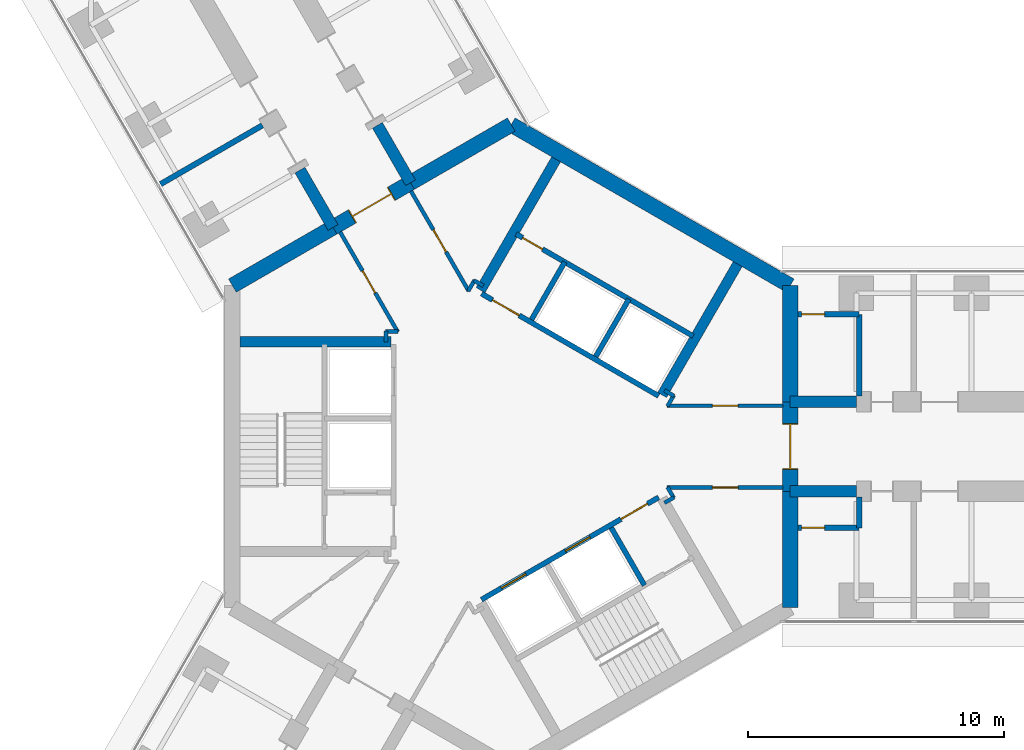
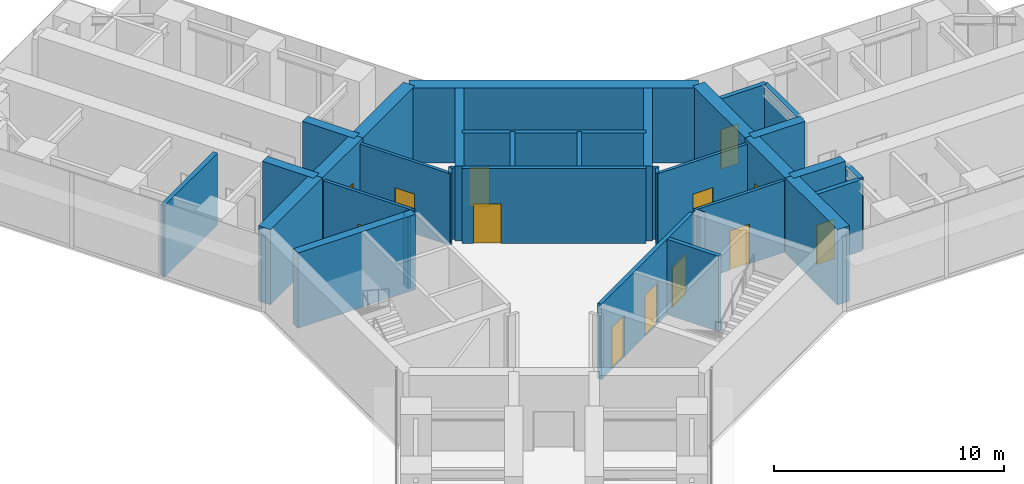
# One storey, part 16 of 21: 37 walls, 13 doors, 13 openings.
"""IFC4 building model written with IfcOpenShell, lengths in metres."""

from ifc_helpers import new_model, si_unit, direction, frame, frame_2d, origin, place, context, subcontext, project, spatial, rectangle, extrude, material, layer, layer_set, type_object, element, fill, save


model = new_model("IFC4")

# Units and contexts
model_context = context("Model", 3, precision=1e-05, world=origin(), true_north=direction((0.0, 1.0)))
body_context = subcontext(model_context, "Body", "Model", "MODEL_VIEW")
ifc_project = project(units=[si_unit("LENGTHUNIT", "METRE"), si_unit("AREAUNIT", "SQUARE_METRE"), si_unit("VOLUMEUNIT", "CUBIC_METRE"), si_unit("PLANEANGLEUNIT", "RADIAN"), si_unit("MASSUNIT", "GRAM", prefix="KILO")], contexts=[model_context])

# Site, building, storey
site_placement = place(None, origin())
site = spatial("IfcSite", under=ifc_project, at=site_placement, CompositionType="ELEMENT")
building_placement = place(site_placement, origin())
building = spatial("IfcBuilding", under=site, at=building_placement, Name="Upepo Twin Towers", CompositionType="ELEMENT")
storey_placement = place(building_placement, frame((0.0, 0.0, 105.5)))
storey = spatial("IfcBuildingStorey", under=building, at=storey_placement, Name="L25", CompositionType="ELEMENT", Elevation=105.5)

# Wall, opening, door
ifc_material_1 = material(Name="Concrete blockwork, plastered both faces", Category="masonry")
ifc_layer_1 = layer(ifc_material_1, 0.215087890625)
ifc_layer_set_1 = layer_set([ifc_layer_1], Name="Blockwork partition 215")
wall_type_1 = type_object("IfcWallType", Name="Blockwork partition 215", PredefinedType="PARTITIONING", material=ifc_layer_set_1)
wall_1_placement = place(storey_placement, frame((11.2080078125, 5.175048828125, 0.0), z_axis=(0.0, 0.0, 1.0), x_axis=(1.0, 0.0, 0.0)))
wall_1 = element("IfcWall", 1, at=wall_1_placement, inside=storey, type_object=wall_type_1, Name="T1 WC bay partition AL at 11.21", PredefinedType="PARTITIONING", context=body_context, shape_type="SweptSolid", body=[
    extrude(rectangle(XDim=2.39990234375, YDim=0.215087890625, at=frame_2d((1.199951171875, 0.0))), origin(), (0.0, 0.0, 1.0), 3.800048828125),
])
opening_1_placement = place(wall_1_placement, frame((0.14990234375, 0.0, 0.0)))
opening_1 = element("IfcOpeningElement", 2, at=opening_1_placement, cuts=wall_1, Name="Opening D14", PredefinedType="OPENING", context=body_context, shape_type="SweptSolid", body=[
    extrude(rectangle(XDim=0.89990234375, YDim=2.10009765625, at=frame_2d((0.449951171875, 1.050048828125))), frame((0.0, 0.117431640625, 0.0), z_axis=(0.0, -1.0, 0.0), x_axis=(1.0, 0.0, 0.0)), (0.0, 0.0, 1.0), 0.235107421875),
])
ifc_material_2 = material(Name="Timber doorset", Category="wood")
door_type_1 = type_object("IfcDoorType", Name="Office door 900 FD30", OperationType="SINGLE_SWING_LEFT", PredefinedType="DOOR", material=ifc_material_2)
door_1_placement = place(opening_1_placement, origin())
door_1 = element("IfcDoor", 3, at=door_1_placement, inside=storey, type_object=door_type_1, Name="T1 L25 WC bay inner room door", OperationType="SINGLE_SWING_LEFT", OverallHeight=2.10009765625, OverallWidth=0.89990234375, PredefinedType="DOOR", context=body_context, shape_type="SweptSolid", body=[
    extrude(rectangle(XDim=0.89990234375, YDim=2.10009765625, at=frame_2d((0.449951171875, 1.050048828125))), frame((0.0, 0.02490234375, 0.0), z_axis=(0.0, -1.0, 0.0), x_axis=(1.0, 0.0, 0.0)), (0.0, 0.0, 1.0), 0.050048828125),
])
fill(opening_1, door_1)

# Wall
wall_2_placement = place(storey_placement, frame((13.60791015625, 1.97509765625, 0.0), z_axis=(0.0, 0.0, 1.0), x_axis=(0.0, 1.0, 0.0)))
element("IfcWall", 4, at=wall_2_placement, inside=storey, type_object=wall_type_1, Name="T1 WC bay partition AL end at 13.61", PredefinedType="PARTITIONING", context=body_context, shape_type="SweptSolid", body=[
    extrude(rectangle(XDim=3.199951171875, YDim=0.215087890625, at=frame_2d((1.60009765625, 0.0))), origin(), (0.0, 0.0, 1.0), 3.800048828125),
])

# Wall, opening, door
wall_3_placement = place(storey_placement, frame((11.2080078125, -3.175048828125, 0.0), z_axis=(0.0, 0.0, 1.0), x_axis=(1.0, 0.0, 0.0)))
wall_3 = element("IfcWall", 5, at=wall_3_placement, inside=storey, type_object=wall_type_1, Name="T1 WC bay partition AR at 11.21", PredefinedType="PARTITIONING", context=body_context, shape_type="SweptSolid", body=[
    extrude(rectangle(XDim=2.39990234375, YDim=0.215087890625, at=frame_2d((1.199951171875, 0.0))), origin(), (0.0, 0.0, 1.0), 3.800048828125),
])
opening_2_placement = place(wall_3_placement, frame((0.14990234375, 0.0, 0.0)))
opening_2 = element("IfcOpeningElement", 6, at=opening_2_placement, cuts=wall_3, Name="Opening D14", PredefinedType="OPENING", context=body_context, shape_type="SweptSolid", body=[
    extrude(rectangle(XDim=0.89990234375, YDim=2.10009765625, at=frame_2d((0.449951171875, 1.050048828125))), frame((0.0, 0.117431640625, 0.0), z_axis=(0.0, -1.0, 0.0), x_axis=(1.0, 0.0, 0.0)), (0.0, 0.0, 1.0), 0.235107421875),
])
door_2_placement = place(opening_2_placement, origin())
door_2 = element("IfcDoor", 7, at=door_2_placement, inside=storey, type_object=door_type_1, Name="T1 L25 WC bay inner room door", OperationType="SINGLE_SWING_LEFT", OverallHeight=2.10009765625, OverallWidth=0.89990234375, PredefinedType="DOOR", context=body_context, shape_type="SweptSolid", body=[
    extrude(rectangle(XDim=0.89990234375, YDim=2.10009765625, at=frame_2d((0.449951171875, 1.050048828125))), frame((0.0, 0.02490234375, 0.0), z_axis=(0.0, -1.0, 0.0), x_axis=(1.0, 0.0, 0.0)), (0.0, 0.0, 1.0), 0.050048828125),
])
fill(opening_2, door_2)

# Walls
wall_4_placement = place(storey_placement, frame((13.60791015625, -1.97509765625, 0.0), z_axis=(0.0, 0.0, 1.0), x_axis=(0.0, -1.0, 0.0)))
element("IfcWall", 8, at=wall_4_placement, inside=storey, type_object=wall_type_1, Name="T1 WC bay partition AR end at 13.61", PredefinedType="PARTITIONING", context=body_context, shape_type="SweptSolid", body=[
    extrude(rectangle(XDim=1.199951171875, YDim=0.215087890625, at=frame_2d((0.60009765625, 0.0))), origin(), (0.0, 0.0, 1.0), 3.800048828125),
])
wall_5_placement = place(storey_placement, frame((-9.737060546875, 12.56494140625, 0.0), z_axis=(0.0, 0.0, 1.0), x_axis=(-0.866016770315, -0.500014953309, 0.0)))
element("IfcWall", 9, at=wall_5_placement, inside=storey, type_object=wall_type_1, Name="T1 partition BL at 15.75", PredefinedType="PARTITIONING", context=body_context, shape_type="SweptSolid", body=[
    extrude(rectangle(XDim=4.599853515625, YDim=0.215087890625, at=frame_2d((2.2998046875, 0.0))), origin(), (0.0, 0.0, 1.0), 3.800048828125),
])
ifc_material_3 = material(Name="Concrete C60/75", Category="concrete")
ifc_layer_2 = layer(ifc_material_3, 0.449951171875)
ifc_layer_set_2 = layer_set([ifc_layer_2], Name="Concrete C60/75")
wall_type_2 = type_object("IfcWallType", Name="Buttress wall 450 RC", PredefinedType="SHEAR", material=ifc_layer_set_2)
for number, where, z_axis, x_axis, name in (
    (10, (10.908447265625, 1.75, 0.0), (0.0, 0.0, 1.0), (1.0, 0.0, 0.0), "T1 wing A buttress wall L"),
    (11, (10.908447265625, -1.75, 0.0), (0.0, 0.0, 1.0), (1.0, 0.0, 0.0), "T1 wing A buttress wall R"),
):
    element("IfcWall", number, at=place(storey_placement, frame(where, z_axis=z_axis, x_axis=x_axis)), inside=storey, type_object=wall_type_2, Name=name, PredefinedType="SHEAR", context=body_context, shape_type="SweptSolid", body=[
        extrude(rectangle(XDim=2.591552734375, YDim=0.449951171875, at=frame_2d((1.2958984375, 0.0))), origin(), (0.0, 0.0, 1.0), 4.0),
    ])
for number, where, z_axis, x_axis, name in (
    (12, (-6.9697265625, 8.57177734375, 0.0), (0.0, 0.0, 1.0), (-0.499988811324, 0.866031863473, 0.0), "T1 wing B buttress wall L"),
    (13, (-3.938720703125, 10.32177734375, 0.0), (0.0, 0.0, 1.0), (-0.499918158782, 0.866072649678, 0.0), "T1 wing B buttress wall R"),
):
    element("IfcWall", number, at=place(storey_placement, frame(where, z_axis=z_axis, x_axis=x_axis)), inside=storey, type_object=wall_type_2, Name=name, PredefinedType="SHEAR", context=body_context, shape_type="SweptSolid", body=[
        extrude(rectangle(XDim=2.591796875, YDim=0.449951171875, at=frame_2d((1.2958984375, 0.0))), origin(), (0.0, 0.0, 1.0), 4.0),
    ])
ifc_material_4 = material(Name="Concrete C60/75", Category="concrete")
ifc_layer_3 = layer(ifc_material_4, 0.60009765625)
ifc_layer_set_3 = layer_set([ifc_layer_3], Name="Concrete C60/75")
wall_type_3 = type_object("IfcWallType", Name="Core wall 600 RC", PredefinedType="SHEAR", material=ifc_layer_set_3)
wall_6_placement = place(storey_placement, frame((10.908447265625, -6.2978515625, 0.0), z_axis=(0.0, 0.0, 1.0), x_axis=(0.0, 1.0, 0.0)))
element("IfcWall", 14, at=wall_6_placement, inside=storey, type_object=wall_type_3, Name="T1 core wall 000 R", PredefinedType="SHEAR", context=body_context, shape_type="SweptSolid", body=[
    extrude(rectangle(XDim=4.5478515625, YDim=0.60009765625, at=frame_2d((2.27392578125, 0.0))), origin(), (0.0, 0.0, 1.0), 4.0),
])

# Wall, opening, door
wall_7_placement = place(storey_placement, frame((10.908447265625, -1.75, 0.0), z_axis=(0.0, 0.0, 1.0), x_axis=(0.0, 1.0, 0.0)))
wall_7 = element("IfcWall", 15, at=wall_7_placement, inside=storey, type_object=wall_type_3, Name="T1 core wall 000", PredefinedType="SHEAR", context=body_context, shape_type="SweptSolid", body=[
    extrude(rectangle(XDim=3.5, YDim=0.60009765625, at=frame_2d((1.75, 0.0))), origin(), (0.0, 0.0, 1.0), 4.0),
])
opening_3_placement = place(wall_7_placement, frame((0.85009765625, 0.0, 0.0)))
opening_3 = element("IfcOpeningElement", 16, at=opening_3_placement, cuts=wall_7, Name="Opening D2", PredefinedType="OPENING", context=body_context, shape_type="SweptSolid", body=[
    extrude(rectangle(XDim=1.800048828125, YDim=2.10009765625, at=frame_2d((0.89990234375, 1.050048828125))), frame((0.0, 0.31005859375, 0.0), z_axis=(0.0, -1.0, 0.0), x_axis=(1.0, 0.0, 0.0)), (0.0, 0.0, 1.0), 0.6201171875),
])
ifc_material_5 = material(Name="Timber doorset", Category="wood")
door_type_2 = type_object("IfcDoorType", Name="Corridor double door 1800 FD60", OperationType="DOUBLE_DOOR_DOUBLE_SWING", PredefinedType="DOOR", material=ifc_material_5)
door_3_placement = place(opening_3_placement, origin())
door_3 = element("IfcDoor", 17, at=door_3_placement, inside=storey, type_object=door_type_2, Name="T1 L25 wing A corridor door", OperationType="DOUBLE_DOOR_DOUBLE_SWING", OverallHeight=2.10009765625, OverallWidth=1.800048828125, PredefinedType="DOOR", context=body_context, shape_type="SweptSolid", body=[
    extrude(rectangle(XDim=1.720048828125, YDim=2.06009765625, at=frame_2d((0.89990234375, 1.030029296875))), frame((0.0, 0.02490234375, 0.0), z_axis=(0.0, -1.0, 0.0), x_axis=(1.0, 0.0, 0.0)), (0.0, 0.0, 1.0), 0.050048828125),
    extrude(rectangle(XDim=0.04, YDim=2.10009765625, at=frame_2d((0.02001953125, 1.050048828125))), frame((0.0, 0.2998046875, 0.0), z_axis=(0.0, -1.0, 0.0), x_axis=(1.0, 0.0, 0.0)), (0.0, 0.0, 1.0), 0.599609375),
    extrude(rectangle(XDim=0.04, YDim=2.10009765625, at=frame_2d((1.780029296875, 1.050048828125))), frame((0.0, 0.2998046875, 0.0), z_axis=(0.0, -1.0, 0.0), x_axis=(1.0, 0.0, 0.0)), (0.0, 0.0, 1.0), 0.599609375),
    extrude(rectangle(XDim=1.720048828125, YDim=0.04, at=frame_2d((0.89990234375, 2.080078125))), frame((0.0, 0.2998046875, 0.0), z_axis=(0.0, -1.0, 0.0), x_axis=(1.0, 0.0, 0.0)), (0.0, 0.0, 1.0), 0.599609375),
])
fill(opening_3, door_3)

# Walls
wall_8_placement = place(storey_placement, frame((10.908447265625, 1.75, 0.0), z_axis=(0.0, 0.0, 1.0), x_axis=(0.0, 1.0, 0.0)))
element("IfcWall", 18, at=wall_8_placement, inside=storey, type_object=wall_type_3, Name="T1 core wall 000 L", PredefinedType="SHEAR", context=body_context, shape_type="SweptSolid", body=[
    extrude(rectangle(XDim=4.5478515625, YDim=0.60009765625, at=frame_2d((2.27392578125, 0.0))), origin(), (0.0, 0.0, 1.0), 4.0),
])
wall_9_placement = place(storey_placement, frame((10.908447265625, 6.2978515625, 0.0), z_axis=(0.0, 0.0, 1.0), x_axis=(-0.866021940709, 0.500005998175, 0.0)))
element("IfcWall", 19, at=wall_9_placement, inside=storey, type_object=wall_type_3, Name="T1 core wall 060", PredefinedType="SHEAR", context=body_context, shape_type="SweptSolid", body=[
    extrude(rectangle(XDim=12.595947265625, YDim=0.60009765625, at=frame_2d((6.2978515625, 0.0))), origin(), (0.0, 0.0, 1.0), 4.0),
])
wall_10_placement = place(storey_placement, frame((0.0, 12.595947265625, 0.0), z_axis=(0.0, 0.0, 1.0), x_axis=(-0.866011268655, -0.500024481964, 0.0)))
element("IfcWall", 20, at=wall_10_placement, inside=storey, type_object=wall_type_3, Name="T1 core wall 120 R", PredefinedType="SHEAR", context=body_context, shape_type="SweptSolid", body=[
    extrude(rectangle(XDim=4.548095703125, YDim=0.60009765625, at=frame_2d((2.27392578125, 0.0))), origin(), (0.0, 0.0, 1.0), 4.0),
])

# Wall, opening, door
wall_11_placement = place(storey_placement, frame((-3.938720703125, 10.32177734375, 0.0), z_axis=(0.0, 0.0, 1.0), x_axis=(-0.866019471182, -0.500010275428, 0.0)))
wall_11 = element("IfcWall", 21, at=wall_11_placement, inside=storey, type_object=wall_type_3, Name="T1 core wall 120", PredefinedType="SHEAR", context=body_context, shape_type="SweptSolid", body=[
    extrude(rectangle(XDim=3.5, YDim=0.60009765625, at=frame_2d((1.75, 0.0))), origin(), (0.0, 0.0, 1.0), 4.0),
])
opening_4_placement = place(wall_11_placement, frame((0.85009765625, 0.0, 0.0)))
opening_4 = element("IfcOpeningElement", 22, at=opening_4_placement, cuts=wall_11, Name="Opening D2", PredefinedType="OPENING", context=body_context, shape_type="SweptSolid", body=[
    extrude(rectangle(XDim=1.800048828125, YDim=2.10009765625, at=frame_2d((0.89990234375, 1.050048828125))), frame((0.0, 0.31005859375, 0.0), z_axis=(0.0, -1.0, 0.0), x_axis=(1.0, 0.0, 0.0)), (0.0, 0.0, 1.0), 0.6201171875),
])
door_4_placement = place(opening_4_placement, origin())
door_4 = element("IfcDoor", 23, at=door_4_placement, inside=storey, type_object=door_type_2, Name="T1 L25 wing B corridor door", OperationType="DOUBLE_DOOR_DOUBLE_SWING", OverallHeight=2.10009765625, OverallWidth=1.800048828125, PredefinedType="DOOR", context=body_context, shape_type="SweptSolid", body=[
    extrude(rectangle(XDim=1.720048828125, YDim=2.06009765625, at=frame_2d((0.89990234375, 1.030029296875))), frame((0.0, 0.02490234375, 0.0), z_axis=(0.0, -1.0, 0.0), x_axis=(1.0, 0.0, 0.0)), (0.0, 0.0, 1.0), 0.050048828125),
    extrude(rectangle(XDim=0.04, YDim=2.10009765625, at=frame_2d((0.02001953125, 1.050048828125))), frame((0.0, 0.2998046875, 0.0), z_axis=(0.0, -1.0, 0.0), x_axis=(1.0, 0.0, 0.0)), (0.0, 0.0, 1.0), 0.599609375),
    extrude(rectangle(XDim=0.04, YDim=2.10009765625, at=frame_2d((1.780029296875, 1.050048828125))), frame((0.0, 0.2998046875, 0.0), z_axis=(0.0, -1.0, 0.0), x_axis=(1.0, 0.0, 0.0)), (0.0, 0.0, 1.0), 0.599609375),
    extrude(rectangle(XDim=1.720048828125, YDim=0.04, at=frame_2d((0.89990234375, 2.080078125))), frame((0.0, 0.2998046875, 0.0), z_axis=(0.0, -1.0, 0.0), x_axis=(1.0, 0.0, 0.0)), (0.0, 0.0, 1.0), 0.599609375),
])
fill(opening_4, door_4)

# Wall
wall_12_placement = place(storey_placement, frame((-6.9697265625, 8.57177734375, 0.0), z_axis=(0.0, 0.0, 1.0), x_axis=(-0.866034513004, -0.499984222037, 0.0)))
element("IfcWall", 24, at=wall_12_placement, inside=storey, type_object=wall_type_3, Name="T1 core wall 120 L", PredefinedType="SHEAR", context=body_context, shape_type="SweptSolid", body=[
    extrude(rectangle(XDim=4.548095703125, YDim=0.60009765625, at=frame_2d((2.27392578125, 0.0))), origin(), (0.0, 0.0, 1.0), 4.0),
])

# Wall, opening, door
ifc_material_6 = material(Name="Concrete C40/50", Category="concrete")
ifc_layer_4 = layer(ifc_material_6, 0.199951171875)
ifc_layer_set_4 = layer_set([ifc_layer_4], Name="Concrete C40/50")
wall_type_4 = type_object("IfcWallType", Name="Shaft wall 200 RC", PredefinedType="SHEAR", material=ifc_layer_set_4)
wall_13_placement = place(storey_placement, frame((5.76416015625, 1.983642578125, 0.0), z_axis=(0.0, 0.0, 1.0), x_axis=(-0.866026010844, 0.49999894854, 0.0)))
wall_13 = element("IfcWall", 25, at=wall_13_placement, inside=storey, type_object=wall_type_4, Name="T1 core W60 front wall", PredefinedType="SHEAR", context=body_context, shape_type="SweptSolid", body=[
    extrude(rectangle(XDim=8.0, YDim=0.199951171875, at=frame_2d((4.0, 0.0))), origin(), (0.0, 0.0, 1.0), 4.0),
])
opening_5_placement = place(wall_13_placement, frame((6.300048828125, 0.0, 0.0)))
opening_5 = element("IfcOpeningElement", 26, at=opening_5_placement, cuts=wall_13, Name="Opening D4", PredefinedType="OPENING", context=body_context, shape_type="SweptSolid", body=[
    extrude(rectangle(XDim=1.199951171875, YDim=2.10009765625, at=frame_2d((0.60009765625, 1.050048828125))), frame((0.0, 0.10986328125, 0.0), z_axis=(0.0, -1.0, 0.0), x_axis=(1.0, 0.0, 0.0)), (0.0, 0.0, 1.0), 0.219970703125),
])
ifc_material_7 = material(Name="Timber doorset", Category="wood")
door_type_3 = type_object("IfcDoorType", Name="Lobby door 1200 FD60", OperationType="SINGLE_SWING_LEFT", PredefinedType="DOOR", material=ifc_material_7)
door_5_placement = place(opening_5_placement, origin())
door_5 = element("IfcDoor", 27, at=door_5_placement, inside=storey, type_object=door_type_3, Name="T1 L25 W60 lobby door", OperationType="SINGLE_SWING_RIGHT", OverallHeight=2.10009765625, OverallWidth=1.199951171875, PredefinedType="DOOR", context=body_context, shape_type="SweptSolid", body=[
    extrude(rectangle(XDim=1.199951171875, YDim=2.10009765625, at=frame_2d((0.60009765625, 1.050048828125))), frame((0.0, 0.02490234375, 0.0), z_axis=(0.0, -1.0, 0.0), x_axis=(1.0, 0.0, 0.0)), (0.0, 0.0, 1.0), 0.050048828125),
])
fill(opening_5, door_5)

# Walls
for number, where, z_axis, x_axis, name in (
    (28, (3.302734375, 3.520263671875, 0.0), (0.0, 0.0, 1.0), (0.499936506574, 0.866062058628, 0.0), "T1 core W60 shaft divider"),
    (29, (0.791259765625, 4.97021484375, 0.0), (0.0, 0.0, 1.0), (0.499936506574, 0.866062058628, 0.0), "T1 core W60 lobby wall"),
):
    element("IfcWall", number, at=place(storey_placement, frame(where, z_axis=z_axis, x_axis=x_axis)), inside=storey, type_object=wall_type_4, Name=name, PredefinedType="SHEAR", context=body_context, shape_type="SweptSolid", body=[
        extrude(rectangle(XDim=2.599853515625, YDim=0.199951171875, at=frame_2d((1.2998046875, 0.0))), origin(), (0.0, 0.0, 1.0), 4.0),
    ])

# Wall, opening, door
wall_14_placement = place(storey_placement, frame((7.114013671875, 4.322021484375, 0.0), z_axis=(0.0, 0.0, 1.0), x_axis=(-0.866026010844, 0.49999894854, 0.0)))
wall_14 = element("IfcWall", 30, at=wall_14_placement, inside=storey, type_object=wall_type_4, Name="T1 core W60 stair wall", PredefinedType="SHEAR", context=body_context, shape_type="SweptSolid", body=[
    extrude(rectangle(XDim=8.0, YDim=0.199951171875, at=frame_2d((4.0, 0.0))), origin(), (0.0, 0.0, 1.0), 4.0),
])
opening_6_placement = place(wall_14_placement, frame((6.800048828125, 0.0, 0.0)))
opening_6 = element("IfcOpeningElement", 31, at=opening_6_placement, cuts=wall_14, Name="Opening D9", PredefinedType="OPENING", context=body_context, shape_type="SweptSolid", body=[
    extrude(rectangle(XDim=0.89990234375, YDim=2.10009765625, at=frame_2d((0.449951171875, 1.050048828125))), frame((0.0, 0.10986328125, 0.0), z_axis=(0.0, -1.0, 0.0), x_axis=(1.0, 0.0, 0.0)), (0.0, 0.0, 1.0), 0.219970703125),
])
ifc_material_8 = material(Name="Timber doorset", Category="wood")
door_type_4 = type_object("IfcDoorType", Name="Riser door 900 FD60", OperationType="SINGLE_SWING_LEFT", PredefinedType="DOOR", material=ifc_material_8)
door_6_placement = place(opening_6_placement, origin())
door_6 = element("IfcDoor", 32, at=door_6_placement, inside=storey, type_object=door_type_4, Name="T1 L25 riser door", OperationType="SINGLE_SWING_RIGHT", OverallHeight=2.10009765625, OverallWidth=0.89990234375, PredefinedType="DOOR", context=body_context, shape_type="SweptSolid", body=[
    extrude(rectangle(XDim=0.89990234375, YDim=2.10009765625, at=frame_2d((0.449951171875, 1.050048828125))), frame((0.0, 0.02490234375, 0.0), z_axis=(0.0, -1.0, 0.0), x_axis=(1.0, 0.0, 0.0)), (0.0, 0.0, 1.0), 0.050048828125),
])
fill(opening_6, door_6)

# Wall, openings, doors
wall_15_placement = place(storey_placement, frame((-1.1640625, -5.983642578125, 0.0), z_axis=(0.0, 0.0, 1.0), x_axis=(0.866026010844, 0.49999894854, 0.0)))
wall_15 = element("IfcWall", 33, at=wall_15_placement, inside=storey, type_object=wall_type_4, Name="T1 core W300 front wall", PredefinedType="SHEAR", context=body_context, shape_type="SweptSolid", body=[
    extrude(rectangle(XDim=8.0, YDim=0.199951171875, at=frame_2d((4.0, 0.0))), origin(), (0.0, 0.0, 1.0), 4.0),
])
opening_7_placement = place(wall_15_placement, frame((6.300048828125, 0.0, 0.0)))
opening_7 = element("IfcOpeningElement", 34, at=opening_7_placement, cuts=wall_15, Name="Opening D4", PredefinedType="OPENING", context=body_context, shape_type="SweptSolid", body=[
    extrude(rectangle(XDim=1.199951171875, YDim=2.10009765625, at=frame_2d((0.60009765625, 1.050048828125))), frame((0.0, 0.10986328125, 0.0), z_axis=(0.0, -1.0, 0.0), x_axis=(1.0, 0.0, 0.0)), (0.0, 0.0, 1.0), 0.219970703125),
])
opening_8_placement = place(wall_15_placement, frame((0.89990234375, 0.0, 0.0)))
opening_8 = element("IfcOpeningElement", 35, at=opening_8_placement, cuts=wall_15, Name="Opening LD1", PredefinedType="OPENING", context=body_context, shape_type="SweptSolid", body=[
    extrude(rectangle(XDim=1.10009765625, YDim=2.199951171875, at=frame_2d((0.550048828125, 1.10009765625))), frame((0.0, 0.10986328125, 0.0), z_axis=(0.0, -1.0, 0.0), x_axis=(1.0, 0.0, 0.0)), (0.0, 0.0, 1.0), 0.219970703125),
])
opening_9_placement = place(wall_15_placement, frame((3.800048828125, 0.0, 0.0)))
opening_9 = element("IfcOpeningElement", 36, at=opening_9_placement, cuts=wall_15, Name="Opening LD1", PredefinedType="OPENING", context=body_context, shape_type="SweptSolid", body=[
    extrude(rectangle(XDim=1.10009765625, YDim=2.199951171875, at=frame_2d((0.550048828125, 1.10009765625))), frame((0.0, 0.10986328125, 0.0), z_axis=(0.0, -1.0, 0.0), x_axis=(1.0, 0.0, 0.0)), (0.0, 0.0, 1.0), 0.219970703125),
])
ifc_material_9 = material(Name="Steel doorset", Category="steel")
door_type_5 = type_object("IfcDoorType", Name="Lift landing door 1100", OperationType="DOUBLE_DOOR_SLIDING", PredefinedType="DOOR", material=ifc_material_9)
door_7_placement = place(opening_8_placement, origin())
door_7 = element("IfcDoor", 37, at=door_7_placement, inside=storey, type_object=door_type_5, Name="T1 L25 lift ML1 landing door", OperationType="DOUBLE_DOOR_SLIDING", OverallHeight=2.199951171875, OverallWidth=1.10009765625, PredefinedType="DOOR", context=body_context, shape_type="SweptSolid", body=[
    extrude(rectangle(XDim=1.10009765625, YDim=2.199951171875, at=frame_2d((0.550048828125, 1.10009765625))), frame((0.0, 0.02490234375, 0.0), z_axis=(0.0, -1.0, 0.0), x_axis=(1.0, 0.0, 0.0)), (0.0, 0.0, 1.0), 0.050048828125),
])
fill(opening_8, door_7)
door_8_placement = place(opening_9_placement, origin())
door_8 = element("IfcDoor", 38, at=door_8_placement, inside=storey, type_object=door_type_5, Name="T1 L25 lift ML2 landing door", OperationType="DOUBLE_DOOR_SLIDING", OverallHeight=2.199951171875, OverallWidth=1.10009765625, PredefinedType="DOOR", context=body_context, shape_type="SweptSolid", body=[
    extrude(rectangle(XDim=1.10009765625, YDim=2.199951171875, at=frame_2d((0.550048828125, 1.10009765625))), frame((0.0, 0.02490234375, 0.0), z_axis=(0.0, -1.0, 0.0), x_axis=(1.0, 0.0, 0.0)), (0.0, 0.0, 1.0), 0.050048828125),
])
fill(opening_9, door_8)
door_9_placement = place(opening_7_placement, origin())
door_9 = element("IfcDoor", 39, at=door_9_placement, inside=storey, type_object=door_type_3, Name="T1 L25 W300 lobby door", OperationType="SINGLE_SWING_RIGHT", OverallHeight=2.10009765625, OverallWidth=1.199951171875, PredefinedType="DOOR", context=body_context, shape_type="SweptSolid", body=[
    extrude(rectangle(XDim=1.199951171875, YDim=2.10009765625, at=frame_2d((0.60009765625, 1.050048828125))), frame((0.0, 0.02490234375, 0.0), z_axis=(0.0, -1.0, 0.0), x_axis=(1.0, 0.0, 0.0)), (0.0, 0.0, 1.0), 0.050048828125),
])
fill(opening_7, door_9)

# Walls
wall_16_placement = place(storey_placement, frame((3.908935546875, -3.17041015625, 0.0), z_axis=(0.0, 0.0, 1.0), x_axis=(0.49997716683, -0.86603858612, 0.0)))
element("IfcWall", 40, at=wall_16_placement, inside=storey, type_object=wall_type_4, Name="T1 core W300 lobby wall", PredefinedType="SHEAR", context=body_context, shape_type="SweptSolid", body=[
    extrude(rectangle(XDim=2.599609375, YDim=0.199951171875, at=frame_2d((1.2998046875, 0.0))), origin(), (0.0, 0.0, 1.0), 4.0),
])
ifc_material_10 = material(Name="Concrete C40/50", Category="concrete")
ifc_layer_5 = layer(ifc_material_10, 0.39990234375)
ifc_layer_set_5 = layer_set([ifc_layer_5], Name="Concrete C40/50")
wall_type_5 = type_object("IfcWallType", Name="Shaft wall 400 RC", PredefinedType="SHEAR", material=ifc_layer_set_5)
wall_17_placement = place(storey_placement, frame((-1.20068359375, 6.120361328125, 0.0), z_axis=(0.0, 0.0, 1.0), x_axis=(0.49999668571, 0.866027317282, 0.0)))
element("IfcWall", 41, at=wall_17_placement, inside=storey, type_object=wall_type_5, Name="T1 core W60 side wall N", PredefinedType="SHEAR", context=body_context, shape_type="SweptSolid", body=[
    extrude(rectangle(XDim=5.908203125, YDim=0.39990234375, at=frame_2d((2.9541015625, 0.0))), origin(), (0.0, 0.0, 1.0), 4.0),
])
for number, where, z_axis, x_axis, name in (
    (42, (5.900634765625, 2.020263671875, 0.0), (0.0, 0.0, 1.0), (0.500027676417, 0.866009424208, 0.0), "T1 core W60 side wall S"),
    (43, (-4.699951171875, 4.10009765625, 0.0), (0.0, 0.0, 1.0), (-1.0, 0.0, 0.0), "T1 core W180 side wall S"),
):
    element("IfcWall", number, at=place(storey_placement, frame(where, z_axis=z_axis, x_axis=x_axis)), inside=storey, type_object=wall_type_5, Name=name, PredefinedType="SHEAR", context=body_context, shape_type="SweptSolid", body=[
        extrude(rectangle(XDim=5.908447265625, YDim=0.39990234375, at=frame_2d((2.9541015625, 0.0))), origin(), (0.0, 0.0, 1.0), 4.0),
    ])
ifc_material_11 = material(Name="Gypsum board on steel studs", Category="steel")
ifc_layer_6 = layer(ifc_material_11, 0.14990234375)
ifc_layer_set_6 = layer_set([ifc_layer_6], Name="Teaching partition 150 acoustic")
wall_type_6 = type_object("IfcWallType", Name="Teaching partition 150 acoustic", PredefinedType="PARTITIONING", material=ifc_layer_set_6)
for number, where, z_axis, x_axis, name in (
    (44, (6.364501953125, -1.9833984375, 0.0), (0.0, 0.0, 1.0), (-0.865892400268, -0.500230298122, 0.0), "T1 core room partition 1"),
    (45, (-4.89990234375, 4.090087890625, 0.0), (0.0, 0.0, 1.0), (0.0, 1.0, 0.0), "T1 core room partition 8"),
):
    element("IfcWall", number, at=place(storey_placement, frame(where, z_axis=z_axis, x_axis=x_axis)), inside=storey, type_object=wall_type_6, Name=name, PredefinedType="PARTITIONING", context=body_context, shape_type="SweptSolid", body=[
        extrude(rectangle(XDim=0.429931640625, YDim=0.14990234375, at=frame_2d((0.21484375, 0.0))), origin(), (0.0, 0.0, 1.0), 3.800048828125),
    ])
wall_18_placement = place(storey_placement, frame((-4.919921875, 4.5, 0.0), z_axis=(0.0, 0.0, 1.0), x_axis=(1.0, 0.0, 0.0)))
element("IfcWall", 46, at=wall_18_placement, inside=storey, type_object=wall_type_6, Name="T1 core room partition 9", PredefinedType="PARTITIONING", context=body_context, shape_type="SweptSolid", body=[
    extrude(rectangle(XDim=0.494384765625, YDim=0.14990234375, at=frame_2d((0.2470703125, 0.0))), origin(), (0.0, 0.0, 1.0), 3.800048828125),
])

# Wall, opening, door
wall_19_placement = place(storey_placement, frame((-4.435546875, 4.482666015625, 0.0), z_axis=(0.0, 0.0, 1.0), x_axis=(-0.500009315796, 0.86602002524, 0.0)))
wall_19 = element("IfcWall", 47, at=wall_19_placement, inside=storey, type_object=wall_type_6, Name="T1 core room partition 10", PredefinedType="PARTITIONING", context=body_context, shape_type="SweptSolid", body=[
    extrude(rectangle(XDim=4.5185546875, YDim=0.14990234375, at=frame_2d((2.25927734375, 0.0))), origin(), (0.0, 0.0, 1.0), 3.800048828125),
])
opening_10_placement = place(wall_19_placement, frame((1.769287109375, 0.0, 0.0)))
opening_10 = element("IfcOpeningElement", 48, at=opening_10_placement, cuts=wall_19, Name="Opening D1", PredefinedType="OPENING", context=body_context, shape_type="SweptSolid", body=[
    extrude(rectangle(XDim=1.0, YDim=2.10009765625, at=frame_2d((0.5, 1.050048828125))), frame((0.0, 0.0849609375, 0.0), z_axis=(0.0, -1.0, 0.0), x_axis=(1.0, 0.0, 0.0)), (0.0, 0.0, 1.0), 0.169921875),
])
ifc_material_12 = material(Name="Timber doorset", Category="wood")
door_type_6 = type_object("IfcDoorType", Name="Room door 1000 FD30", OperationType="SINGLE_SWING_LEFT", PredefinedType="DOOR", material=ifc_material_12)
door_10_placement = place(opening_10_placement, origin())
door_10 = element("IfcDoor", 49, at=door_10_placement, inside=storey, type_object=door_type_6, Name="T1 L25 core room door K7", OperationType="SINGLE_SWING_RIGHT", OverallHeight=2.10009765625, OverallWidth=1.0, PredefinedType="DOOR", context=body_context, shape_type="SweptSolid", body=[
    extrude(rectangle(XDim=1.0, YDim=2.10009765625, at=frame_2d((0.5, 1.050048828125))), frame((0.0, 0.02490234375, 0.0), z_axis=(0.0, -1.0, 0.0), x_axis=(1.0, 0.0, 0.0)), (0.0, 0.0, 1.0), 0.050048828125),
])
fill(opening_10, door_10)

wall_20_placement = place(storey_placement, frame((-3.923583984375, 9.99560546875, 0.0), z_axis=(0.0, 0.0, 1.0), x_axis=(0.500032713409, -0.866006515865, 0.0)))
wall_20 = element("IfcWall", 50, at=wall_20_placement, inside=storey, type_object=wall_type_6, Name="T1 core room partition 11", PredefinedType="PARTITIONING", context=body_context, shape_type="SweptSolid", body=[
    extrude(rectangle(XDim=4.518310546875, YDim=0.14990234375, at=frame_2d((2.25927734375, 0.0))), origin(), (0.0, 0.0, 1.0), 3.800048828125),
])
opening_11_placement = place(wall_20_placement, frame((1.7490234375, 0.0, 0.0)))
opening_11 = element("IfcOpeningElement", 51, at=opening_11_placement, cuts=wall_20, Name="Opening D1", PredefinedType="OPENING", context=body_context, shape_type="SweptSolid", body=[
    extrude(rectangle(XDim=1.0, YDim=2.10009765625, at=frame_2d((0.5, 1.050048828125))), frame((0.0, 0.0849609375, 0.0), z_axis=(0.0, -1.0, 0.0), x_axis=(1.0, 0.0, 0.0)), (0.0, 0.0, 1.0), 0.169921875),
])
door_11_placement = place(opening_11_placement, origin())
door_11 = element("IfcDoor", 52, at=door_11_placement, inside=storey, type_object=door_type_6, Name="T1 L25 core room door K6", OperationType="SINGLE_SWING_LEFT", OverallHeight=2.10009765625, OverallWidth=1.0, PredefinedType="DOOR", context=body_context, shape_type="SweptSolid", body=[
    extrude(rectangle(XDim=1.0, YDim=2.10009765625, at=frame_2d((0.5, 1.050048828125))), frame((0.0, 0.02490234375, 0.0), z_axis=(0.0, -1.0, 0.0), x_axis=(1.0, 0.0, 0.0)), (0.0, 0.0, 1.0), 0.050048828125),
])
fill(opening_11, door_11)

# Walls
wall_21_placement = place(storey_placement, frame((-1.684326171875, 6.082763671875, 0.0), z_axis=(0.0, 0.0, 1.0), x_axis=(0.50033519877, 0.865831790172, 0.0)))
element("IfcWall", 53, at=wall_21_placement, inside=storey, type_object=wall_type_6, Name="T1 core room partition 12", PredefinedType="PARTITIONING", context=body_context, shape_type="SweptSolid", body=[
    extrude(rectangle(XDim=0.494384765625, YDim=0.14990234375, at=frame_2d((0.2470703125, 0.0))), origin(), (0.0, 0.0, 1.0), 3.800048828125),
])
for number, where, z_axis, x_axis, name in (
    (54, (-1.46435546875, 6.50341796875, 0.0), (0.0, 0.0, 1.0), (0.866138304741, -0.499804398801, 0.0), "T1 core room partition 13"),
    (55, (5.9921875, 2.198486328125, 0.0), (0.0, 0.0, 1.0), (0.865892400268, -0.500230298122, 0.0), "T1 core room partition 14"),
):
    element("IfcWall", number, at=place(storey_placement, frame(where, z_axis=z_axis, x_axis=x_axis)), inside=storey, type_object=wall_type_6, Name=name, PredefinedType="PARTITIONING", context=body_context, shape_type="SweptSolid", body=[
        extrude(rectangle(XDim=0.429931640625, YDim=0.14990234375, at=frame_2d((0.21484375, 0.0))), origin(), (0.0, 0.0, 1.0), 3.800048828125),
    ])
wall_22_placement = place(storey_placement, frame((6.357177734375, 2.0107421875, 0.0), z_axis=(0.0, 0.0, 1.0), x_axis=(-0.50033519877, -0.865831790172, 0.0)))
element("IfcWall", 56, at=wall_22_placement, inside=storey, type_object=wall_type_6, Name="T1 core room partition 15", PredefinedType="PARTITIONING", context=body_context, shape_type="SweptSolid", body=[
    extrude(rectangle(XDim=0.494384765625, YDim=0.14990234375, at=frame_2d((0.2470703125, 0.0))), origin(), (0.0, 0.0, 1.0), 3.800048828125),
])

# Wall, opening, door
wall_23_placement = place(storey_placement, frame((6.099853515625, 1.60009765625, 0.0), z_axis=(0.0, 0.0, 1.0), x_axis=(1.0, 0.0, 0.0)))
wall_23 = element("IfcWall", 57, at=wall_23_placement, inside=storey, type_object=wall_type_6, Name="T1 core room partition 16", PredefinedType="PARTITIONING", context=body_context, shape_type="SweptSolid", body=[
    extrude(rectangle(XDim=4.5185546875, YDim=0.14990234375, at=frame_2d((2.25927734375, 0.0))), origin(), (0.0, 0.0, 1.0), 3.800048828125),
])
opening_12_placement = place(wall_23_placement, frame((1.769287109375, 0.0, 0.0)))
opening_12 = element("IfcOpeningElement", 58, at=opening_12_placement, cuts=wall_23, Name="Opening D1", PredefinedType="OPENING", context=body_context, shape_type="SweptSolid", body=[
    extrude(rectangle(XDim=1.0, YDim=2.10009765625, at=frame_2d((0.5, 1.050048828125))), frame((0.0, 0.0849609375, 0.0), z_axis=(0.0, -1.0, 0.0), x_axis=(1.0, 0.0, 0.0)), (0.0, 0.0, 1.0), 0.169921875),
])
door_12_placement = place(opening_12_placement, origin())
door_12 = element("IfcDoor", 59, at=door_12_placement, inside=storey, type_object=door_type_6, Name="T1 L25 core room door K5", OperationType="SINGLE_SWING_RIGHT", OverallHeight=2.10009765625, OverallWidth=1.0, PredefinedType="DOOR", context=body_context, shape_type="SweptSolid", body=[
    extrude(rectangle(XDim=1.0, YDim=2.10009765625, at=frame_2d((0.5, 1.050048828125))), frame((0.0, 0.02490234375, 0.0), z_axis=(0.0, -1.0, 0.0), x_axis=(1.0, 0.0, 0.0)), (0.0, 0.0, 1.0), 0.050048828125),
])
fill(opening_12, door_12)

wall_24_placement = place(storey_placement, frame((10.618408203125, -1.60009765625, 0.0), z_axis=(0.0, 0.0, 1.0), x_axis=(-1.0, 0.0, 0.0)))
wall_24 = element("IfcWall", 60, at=wall_24_placement, inside=storey, type_object=wall_type_6, Name="T1 core room partition 17", PredefinedType="PARTITIONING", context=body_context, shape_type="SweptSolid", body=[
    extrude(rectangle(XDim=4.5185546875, YDim=0.14990234375, at=frame_2d((2.25927734375, 0.0))), origin(), (0.0, 0.0, 1.0), 3.800048828125),
])
opening_13_placement = place(wall_24_placement, frame((1.7490234375, 0.0, 0.0)))
opening_13 = element("IfcOpeningElement", 61, at=opening_13_placement, cuts=wall_24, Name="Opening D1", PredefinedType="OPENING", context=body_context, shape_type="SweptSolid", body=[
    extrude(rectangle(XDim=1.0, YDim=2.10009765625, at=frame_2d((0.5, 1.050048828125))), frame((0.0, 0.0849609375, 0.0), z_axis=(0.0, -1.0, 0.0), x_axis=(1.0, 0.0, 0.0)), (0.0, 0.0, 1.0), 0.169921875),
])
door_13_placement = place(opening_13_placement, origin())
door_13 = element("IfcDoor", 62, at=door_13_placement, inside=storey, type_object=door_type_6, Name="T1 L25 core room door K4", OperationType="SINGLE_SWING_LEFT", OverallHeight=2.10009765625, OverallWidth=1.0, PredefinedType="DOOR", context=body_context, shape_type="SweptSolid", body=[
    extrude(rectangle(XDim=1.0, YDim=2.10009765625, at=frame_2d((0.5, 1.050048828125))), frame((0.0, 0.02490234375, 0.0), z_axis=(0.0, -1.0, 0.0), x_axis=(1.0, 0.0, 0.0)), (0.0, 0.0, 1.0), 0.050048828125),
])
fill(opening_13, door_13)

# Wall
wall_25_placement = place(storey_placement, frame((6.10986328125, -1.582763671875, 0.0), z_axis=(0.0, 0.0, 1.0), x_axis=(0.50033519877, -0.865831790172, 0.0)))
element("IfcWall", 63, at=wall_25_placement, inside=storey, type_object=wall_type_6, Name="T1 core room partition 18", PredefinedType="PARTITIONING", context=body_context, shape_type="SweptSolid", body=[
    extrude(rectangle(XDim=0.494384765625, YDim=0.14990234375, at=frame_2d((0.2470703125, 0.0))), origin(), (0.0, 0.0, 1.0), 3.800048828125),
])

save(model, "model.ifc")
